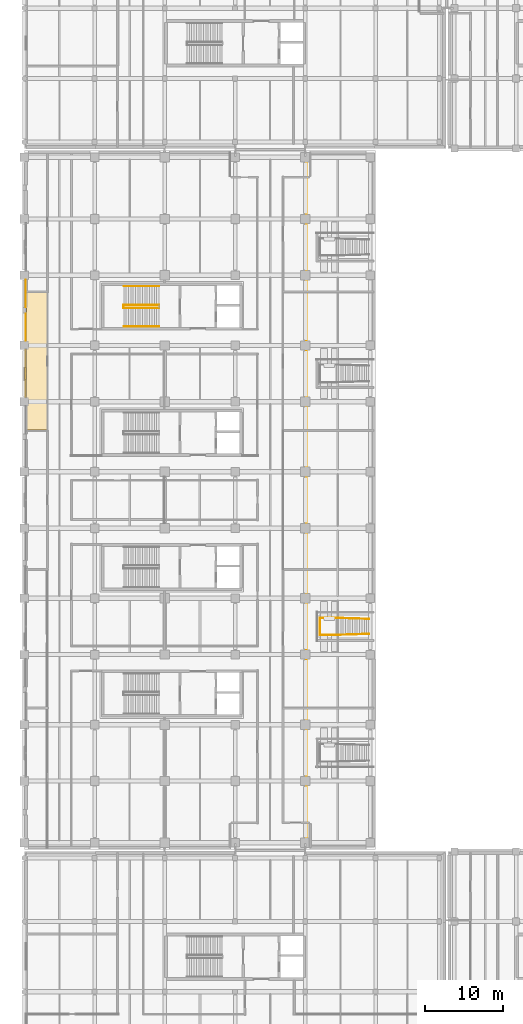
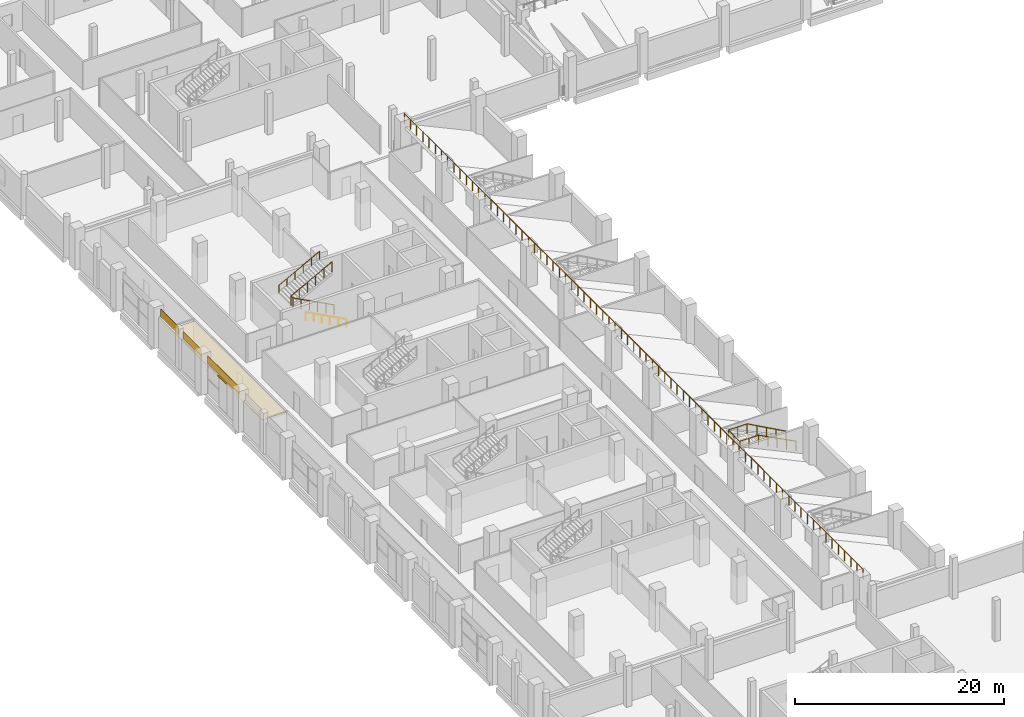
# One storey, part 82 of 100: 5 railings, 4 coverings, 1 shading device.
"""IFC4 building model written with IfcOpenShell, lengths in metres."""

from ifc_helpers import new_model, si_unit, direction, frame, origin, origin_2d, place, context, subcontext, project, spatial, polyline, rectangle, circle, outline, extrude, material, layer, layer_set, type_object, element, save


model = new_model("IFC4")

# Units and contexts
model_context = context("Model", 3, precision=1e-05, world=origin(), true_north=direction((0.0, 1.0)))
body_context = subcontext(model_context, "Body", "Model", "MODEL_VIEW")
ifc_project = project(units=[si_unit("LENGTHUNIT", "METRE"), si_unit("AREAUNIT", "SQUARE_METRE"), si_unit("VOLUMEUNIT", "CUBIC_METRE"), si_unit("PLANEANGLEUNIT", "RADIAN"), si_unit("MASSUNIT", "GRAM", prefix="KILO"), si_unit("THERMODYNAMICTEMPERATUREUNIT", "KELVIN"), si_unit("POWERUNIT", "WATT")], contexts=[model_context])

# Site, building, storey
site_placement = place(None, origin())
site = spatial("IfcSite", under=ifc_project, at=site_placement, CompositionType="ELEMENT")
building_placement = place(site_placement, origin())
building = spatial("IfcBuilding", under=site, at=building_placement, Name="Sindhuravela Promenade Stadium", CompositionType="ELEMENT")
storey_placement = place(building_placement, frame((0.0, 0.0, 4.800048828125)))
storey = spatial("IfcBuildingStorey", under=building, at=storey_placement, Name="L01", CompositionType="ELEMENT", Elevation=4.800048828125)

# Coverings
ifc_material_1 = material(Name="Acoustic mineral-fibre ceiling tile", Category="gypsum")
ifc_layer_1 = layer(ifc_material_1, 0.02490234375)
ifc_layer_set_1 = layer_set([ifc_layer_1], Name="Acoustic mineral-fibre ceiling tile")
covering_type_1 = type_object("IfcCoveringType", Name="CV-CEIL-1", PredefinedType="CEILING", material=ifc_layer_set_1)
covering_1_placement = place(storey_placement, frame((0.0, 0.0, 3.050048828125)))
element("IfcCovering", 1, at=covering_1_placement, inside=storey, type_object=covering_type_1, Name="Acoustic ceiling Supporters Refreshment Kiosk W2 11", PredefinedType="CEILING", context=body_context, shape_type="SweptSolid", body=[
    extrude(outline(polyline([(0.300048828125, 107.5380859375), (0.300048828125, 107.5400390625), (0.30029296875, 107.5419921875), (0.30078125, 107.543701171875), (0.301513671875, 107.545654296875), (0.302490234375, 107.54736328125), (0.303466796875, 107.549072265625), (0.304443359375, 107.55078125), (0.305908203125, 107.552001953125), (0.307373046875, 107.553466796875), (0.308837890625, 107.5546875), (0.310546875, 107.5556640625), (0.312255859375, 107.556396484375), (0.314208984375, 107.55712890625), (0.316162109375, 107.5576171875), (0.318115234375, 107.557861328125), (0.320068359375, 107.55810546875), (2.9599609375, 107.55810546875), (2.9619140625, 107.557861328125), (2.9638671875, 107.5576171875), (2.9658203125, 107.55712890625), (2.9677734375, 107.556396484375), (2.969482421875, 107.5556640625), (2.97119140625, 107.5546875), (2.97265625, 107.553466796875), (2.97412109375, 107.552001953125), (2.9755859375, 107.55078125), (2.9765625, 107.549072265625), (2.9775390625, 107.54736328125), (2.978515625, 107.545654296875), (2.97900390625, 107.543701171875), (2.9794921875, 107.5419921875), (2.97998046875, 107.5400390625), (2.97998046875, 107.5380859375), (2.97998046875, 90.006103515625), (2.97998046875, 90.00390625), (2.9794921875, 90.002197265625), (2.97900390625, 90.000244140625), (2.978515625, 89.998291015625), (2.9775390625, 89.99658203125), (2.9765625, 89.994873046875), (2.9755859375, 89.993408203125), (2.97412109375, 89.991943359375), (2.97265625, 89.990478515625), (2.97119140625, 89.989501953125), (2.969482421875, 89.98828125), (2.9677734375, 89.987548828125), (2.9658203125, 89.98681640625), (2.9638671875, 89.986328125), (2.9619140625, 89.986083984375), (2.9599609375, 89.986083984375), (0.320068359375, 89.986083984375), (0.318115234375, 89.986083984375), (0.316162109375, 89.986328125), (0.314208984375, 89.98681640625), (0.312255859375, 89.987548828125), (0.310546875, 89.98828125), (0.308837890625, 89.989501953125), (0.307373046875, 89.990478515625), (0.305908203125, 89.991943359375), (0.304443359375, 89.993408203125), (0.303466796875, 89.994873046875), (0.302490234375, 89.99658203125), (0.301513671875, 89.998291015625), (0.30078125, 90.000244140625), (0.30029296875, 90.002197265625), (0.300048828125, 90.00390625), (0.300048828125, 90.006103515625), (0.300048828125, 107.5380859375)])), origin(), (0.0, 0.0, 1.0), 0.02490234375),
])
ifc_material_2 = material(Name="Polychrome trencadis ceramic mosaic", Category="masonry")
ifc_layer_2 = layer(ifc_material_2, 0.034912109375)
ifc_layer_set_2 = layer_set([ifc_layer_2], Name="Polychrome trencadis ceramic mosaic")
covering_type_2 = type_object("IfcCoveringType", Name="CV-TRENC-1", PredefinedType="CLADDING", material=ifc_layer_set_2)
covering_2_placement = place(storey_placement, frame((0.179931640625, 103.14990234375, 3.55517578125), z_axis=(0.0, 0.0, 1.0), x_axis=(0.0, 1.0, 0.0)))
element("IfcCovering", 2, at=covering_2_placement, inside=storey, type_object=covering_type_2, Name="Trencadis ceramic mosaic spandrel frieze WEST L01-24", PredefinedType="CLADDING", context=body_context, shape_type="SweptSolid", body=[
    extrude(rectangle(XDim=3.469970703125, YDim=0.034912109375, at=origin_2d()), origin(), (0.0, 0.0, 1.0), 0.905029296875),
])
ifc_layer_3 = layer(ifc_material_2, 0.050048828125)
ifc_layer_set_3 = layer_set([ifc_layer_3], Name="Polychrome trencadis ceramic mosaic")
covering_type_3 = type_object("IfcCoveringType", Name="CV-TRENC-2", PredefinedType="CLADDING", material=ifc_layer_set_3)
covering_3_placement = place(storey_placement, frame((0.179931640625, 97.199951171875, 3.55517578125), z_axis=(0.0, 0.0, 1.0), x_axis=(0.0, 1.0, 0.0)))
element("IfcCovering", 3, at=covering_3_placement, inside=storey, type_object=covering_type_3, Name="Trencadis ceramic mosaic spandrel frieze WEST L01-23", PredefinedType="CLADDING", context=body_context, shape_type="SweptSolid", body=[
    extrude(rectangle(XDim=5.969970703125, YDim=0.050048828125, at=origin_2d()), origin(), (0.0, 0.0, 1.0), 0.905029296875),
])
covering_4_placement = place(storey_placement, frame((0.179931640625, 107.449951171875, 3.55517578125), z_axis=(0.0, 0.0, 1.0), x_axis=(0.0, 1.0, 0.0)))
element("IfcCovering", 4, at=covering_4_placement, inside=storey, type_object=covering_type_3, Name="Trencadis ceramic mosaic spandrel frieze WEST L01-25", PredefinedType="CLADDING", context=body_context, shape_type="SweptSolid", body=[
    extrude(rectangle(XDim=3.469970703125, YDim=0.050048828125, at=origin_2d()), origin(), (0.0, 0.0, 1.0), 0.905029296875),
])

# Railings
ifc_material_3 = material(Name="Architectural wrought steel E350", Category="steel")
railing_type_1 = type_object("IfcRailingType", Name="RL-GRD-1150", PredefinedType="GUARDRAIL", material=ifc_material_3)
railing_1_placement = place(storey_placement, frame((36.14990234375, 37.10009765625, 4.050048828125)))
element("IfcRailing", 5, at=railing_1_placement, inside=storey, type_object=railing_type_1, Name="Stand bowl crowd barrier GR01-90", PredefinedType="GUARDRAIL", context=body_context, shape_type="SweptSolid", body=[
    extrude(circle(Radius=0.02392578125, at=origin_2d()), frame((0.0, 0.0, 1.1259765625), z_axis=(0.0, 1.0, 0.0), x_axis=(-1.0, 0.0, 0.0)), (0.0, 0.0, 1.0), 87.7998046875),
    extrude(circle(Radius=0.02099609375, at=origin_2d()), origin(), (0.0, 0.0, 1.0), 1.101806640625),
    extrude(circle(Radius=0.02099609375, at=origin_2d()), frame((0.0, 1.1865234375, 0.0)), (0.0, 0.0, 1.0), 1.101806640625),
    extrude(circle(Radius=0.02099609375, at=origin_2d()), frame((0.0, 2.373046875, 0.0)), (0.0, 0.0, 1.0), 1.101806640625),
    extrude(circle(Radius=0.02099609375, at=origin_2d()), frame((0.0, 3.5595703125, 0.0)), (0.0, 0.0, 1.0), 1.101806640625),
    extrude(circle(Radius=0.02099609375, at=origin_2d()), frame((0.0, 4.745849609375, 0.0)), (0.0, 0.0, 1.0), 1.101806640625),
    extrude(circle(Radius=0.02099609375, at=origin_2d()), frame((0.0, 5.932373046875, 0.0)), (0.0, 0.0, 1.0), 1.101806640625),
    extrude(circle(Radius=0.02099609375, at=origin_2d()), frame((0.0, 7.118896484375, 0.0)), (0.0, 0.0, 1.0), 1.101806640625),
    extrude(circle(Radius=0.02099609375, at=origin_2d()), frame((0.0, 8.305419921875, 0.0)), (0.0, 0.0, 1.0), 1.101806640625),
    extrude(circle(Radius=0.02099609375, at=origin_2d()), frame((0.0, 9.491943359375, 0.0)), (0.0, 0.0, 1.0), 1.101806640625),
    extrude(circle(Radius=0.02099609375, at=origin_2d()), frame((0.0, 10.678466796875, 0.0)), (0.0, 0.0, 1.0), 1.101806640625),
    extrude(circle(Radius=0.02099609375, at=origin_2d()), frame((0.0, 11.86474609375, 0.0)), (0.0, 0.0, 1.0), 1.101806640625),
    extrude(circle(Radius=0.02099609375, at=origin_2d()), frame((0.0, 13.05126953125, 0.0)), (0.0, 0.0, 1.0), 1.101806640625),
    extrude(circle(Radius=0.02099609375, at=origin_2d()), frame((0.0, 14.23779296875, 0.0)), (0.0, 0.0, 1.0), 1.101806640625),
    extrude(circle(Radius=0.02099609375, at=origin_2d()), frame((0.0, 15.42431640625, 0.0)), (0.0, 0.0, 1.0), 1.101806640625),
    extrude(circle(Radius=0.02099609375, at=origin_2d()), frame((0.0, 16.61083984375, 0.0)), (0.0, 0.0, 1.0), 1.101806640625),
    extrude(circle(Radius=0.02099609375, at=origin_2d()), frame((0.0, 17.79736328125, 0.0)), (0.0, 0.0, 1.0), 1.101806640625),
    extrude(circle(Radius=0.02099609375, at=origin_2d()), frame((0.0, 18.983642578125, 0.0)), (0.0, 0.0, 1.0), 1.101806640625),
    extrude(circle(Radius=0.02099609375, at=origin_2d()), frame((0.0, 20.170166015625, 0.0)), (0.0, 0.0, 1.0), 1.101806640625),
    extrude(circle(Radius=0.02099609375, at=origin_2d()), frame((0.0, 21.356689453125, 0.0)), (0.0, 0.0, 1.0), 1.101806640625),
    extrude(circle(Radius=0.02099609375, at=origin_2d()), frame((0.0, 22.543212890625, 0.0)), (0.0, 0.0, 1.0), 1.101806640625),
    extrude(circle(Radius=0.02099609375, at=origin_2d()), frame((0.0, 23.729736328125, 0.0)), (0.0, 0.0, 1.0), 1.101806640625),
    extrude(circle(Radius=0.02099609375, at=origin_2d()), frame((0.0, 24.916259765625, 0.0)), (0.0, 0.0, 1.0), 1.101806640625),
    extrude(circle(Radius=0.02099609375, at=origin_2d()), frame((0.0, 26.1025390625, 0.0)), (0.0, 0.0, 1.0), 1.101806640625),
    extrude(circle(Radius=0.02099609375, at=origin_2d()), frame((0.0, 27.2890625, 0.0)), (0.0, 0.0, 1.0), 1.101806640625),
    extrude(circle(Radius=0.02099609375, at=origin_2d()), frame((0.0, 28.4755859375, 0.0)), (0.0, 0.0, 1.0), 1.101806640625),
    extrude(circle(Radius=0.02099609375, at=origin_2d()), frame((0.0, 29.662109375, 0.0)), (0.0, 0.0, 1.0), 1.101806640625),
    extrude(circle(Radius=0.02099609375, at=origin_2d()), frame((0.0, 30.8486328125, 0.0)), (0.0, 0.0, 1.0), 1.101806640625),
    extrude(circle(Radius=0.02099609375, at=origin_2d()), frame((0.0, 32.03515625, 0.0)), (0.0, 0.0, 1.0), 1.101806640625),
    extrude(circle(Radius=0.02099609375, at=origin_2d()), frame((0.0, 33.221435546875, 0.0)), (0.0, 0.0, 1.0), 1.101806640625),
    extrude(circle(Radius=0.02099609375, at=origin_2d()), frame((0.0, 34.407958984375, 0.0)), (0.0, 0.0, 1.0), 1.101806640625),
    extrude(circle(Radius=0.02099609375, at=origin_2d()), frame((0.0, 35.594482421875, 0.0)), (0.0, 0.0, 1.0), 1.101806640625),
    extrude(circle(Radius=0.02099609375, at=origin_2d()), frame((0.0, 36.781005859375, 0.0)), (0.0, 0.0, 1.0), 1.101806640625),
    extrude(circle(Radius=0.02099609375, at=origin_2d()), frame((0.0, 37.967529296875, 0.0)), (0.0, 0.0, 1.0), 1.101806640625),
    extrude(circle(Radius=0.02099609375, at=origin_2d()), frame((0.0, 39.154052734375, 0.0)), (0.0, 0.0, 1.0), 1.101806640625),
    extrude(circle(Radius=0.02099609375, at=origin_2d()), frame((0.0, 40.34033203125, 0.0)), (0.0, 0.0, 1.0), 1.101806640625),
    extrude(circle(Radius=0.02099609375, at=origin_2d()), frame((0.0, 41.52685546875, 0.0)), (0.0, 0.0, 1.0), 1.101806640625),
    extrude(circle(Radius=0.02099609375, at=origin_2d()), frame((0.0, 42.71337890625, 0.0)), (0.0, 0.0, 1.0), 1.101806640625),
    extrude(circle(Radius=0.02099609375, at=origin_2d()), frame((0.0, 43.89990234375, 0.0)), (0.0, 0.0, 1.0), 1.101806640625),
    extrude(circle(Radius=0.02099609375, at=origin_2d()), frame((0.0, 45.08642578125, 0.0)), (0.0, 0.0, 1.0), 1.101806640625),
    extrude(circle(Radius=0.02099609375, at=origin_2d()), frame((0.0, 46.27294921875, 0.0)), (0.0, 0.0, 1.0), 1.101806640625),
    extrude(circle(Radius=0.02099609375, at=origin_2d()), frame((0.0, 47.45947265625, 0.0)), (0.0, 0.0, 1.0), 1.101806640625),
    extrude(circle(Radius=0.02099609375, at=origin_2d()), frame((0.0, 48.645751953125, 0.0)), (0.0, 0.0, 1.0), 1.101806640625),
    extrude(circle(Radius=0.02099609375, at=origin_2d()), frame((0.0, 49.832275390625, 0.0)), (0.0, 0.0, 1.0), 1.101806640625),
    extrude(circle(Radius=0.02099609375, at=origin_2d()), frame((0.0, 51.018798828125, 0.0)), (0.0, 0.0, 1.0), 1.101806640625),
    extrude(circle(Radius=0.02099609375, at=origin_2d()), frame((0.0, 52.205322265625, 0.0)), (0.0, 0.0, 1.0), 1.101806640625),
    extrude(circle(Radius=0.02099609375, at=origin_2d()), frame((0.0, 53.391845703125, 0.0)), (0.0, 0.0, 1.0), 1.101806640625),
    extrude(circle(Radius=0.02099609375, at=origin_2d()), frame((0.0, 54.578369140625, 0.0)), (0.0, 0.0, 1.0), 1.101806640625),
    extrude(circle(Radius=0.02099609375, at=origin_2d()), frame((0.0, 55.7646484375, 0.0)), (0.0, 0.0, 1.0), 1.101806640625),
    extrude(circle(Radius=0.02099609375, at=origin_2d()), frame((0.0, 56.951171875, 0.0)), (0.0, 0.0, 1.0), 1.101806640625),
    extrude(circle(Radius=0.02099609375, at=origin_2d()), frame((0.0, 58.1376953125, 0.0)), (0.0, 0.0, 1.0), 1.101806640625),
    extrude(circle(Radius=0.02099609375, at=origin_2d()), frame((0.0, 59.32421875, 0.0)), (0.0, 0.0, 1.0), 1.101806640625),
    extrude(circle(Radius=0.02099609375, at=origin_2d()), frame((0.0, 60.5107421875, 0.0)), (0.0, 0.0, 1.0), 1.101806640625),
    extrude(circle(Radius=0.02099609375, at=origin_2d()), frame((0.0, 61.697265625, 0.0)), (0.0, 0.0, 1.0), 1.101806640625),
    extrude(circle(Radius=0.02099609375, at=origin_2d()), frame((0.0, 62.883544921875, 0.0)), (0.0, 0.0, 1.0), 1.101806640625),
    extrude(circle(Radius=0.02099609375, at=origin_2d()), frame((0.0, 64.070068359375, 0.0)), (0.0, 0.0, 1.0), 1.101806640625),
    extrude(circle(Radius=0.02099609375, at=origin_2d()), frame((0.0, 65.256591796875, 0.0)), (0.0, 0.0, 1.0), 1.101806640625),
    extrude(circle(Radius=0.02099609375, at=origin_2d()), frame((0.0, 66.443115234375, 0.0)), (0.0, 0.0, 1.0), 1.101806640625),
    extrude(circle(Radius=0.02099609375, at=origin_2d()), frame((0.0, 67.629638671875, 0.0)), (0.0, 0.0, 1.0), 1.101806640625),
    extrude(circle(Radius=0.02099609375, at=origin_2d()), frame((0.0, 68.816162109375, 0.0)), (0.0, 0.0, 1.0), 1.101806640625),
    extrude(circle(Radius=0.02099609375, at=origin_2d()), frame((0.0, 70.00244140625, 0.0)), (0.0, 0.0, 1.0), 1.101806640625),
    extrude(circle(Radius=0.02099609375, at=origin_2d()), frame((0.0, 71.18896484375, 0.0)), (0.0, 0.0, 1.0), 1.101806640625),
    extrude(circle(Radius=0.02099609375, at=origin_2d()), frame((0.0, 72.37548828125, 0.0)), (0.0, 0.0, 1.0), 1.101806640625),
    extrude(circle(Radius=0.02099609375, at=origin_2d()), frame((0.0, 73.56201171875, 0.0)), (0.0, 0.0, 1.0), 1.101806640625),
    extrude(circle(Radius=0.02099609375, at=origin_2d()), frame((0.0, 74.74853515625, 0.0)), (0.0, 0.0, 1.0), 1.101806640625),
    extrude(circle(Radius=0.02099609375, at=origin_2d()), frame((0.0, 75.93505859375, 0.0)), (0.0, 0.0, 1.0), 1.101806640625),
    extrude(circle(Radius=0.02099609375, at=origin_2d()), frame((0.0, 77.121337890625, 0.0)), (0.0, 0.0, 1.0), 1.101806640625),
    extrude(circle(Radius=0.02099609375, at=origin_2d()), frame((0.0, 78.307861328125, 0.0)), (0.0, 0.0, 1.0), 1.101806640625),
    extrude(circle(Radius=0.02099609375, at=origin_2d()), frame((0.0, 79.494384765625, 0.0)), (0.0, 0.0, 1.0), 1.101806640625),
    extrude(circle(Radius=0.02099609375, at=origin_2d()), frame((0.0, 80.680908203125, 0.0)), (0.0, 0.0, 1.0), 1.101806640625),
    extrude(circle(Radius=0.02099609375, at=origin_2d()), frame((0.0, 81.867431640625, 0.0)), (0.0, 0.0, 1.0), 1.101806640625),
    extrude(circle(Radius=0.02099609375, at=origin_2d()), frame((0.0, 83.053955078125, 0.0)), (0.0, 0.0, 1.0), 1.101806640625),
    extrude(circle(Radius=0.02099609375, at=origin_2d()), frame((0.0, 84.240234375, 0.0)), (0.0, 0.0, 1.0), 1.101806640625),
    extrude(circle(Radius=0.02099609375, at=origin_2d()), frame((0.0, 85.4267578125, 0.0)), (0.0, 0.0, 1.0), 1.101806640625),
    extrude(circle(Radius=0.02099609375, at=origin_2d()), frame((0.0, 86.61328125, 0.0)), (0.0, 0.0, 1.0), 1.101806640625),
    extrude(circle(Radius=0.02099609375, at=origin_2d()), frame((0.0, 87.7998046875, 0.0)), (0.0, 0.0, 1.0), 1.101806640625),
])
railing_2_placement = place(storey_placement, frame((17.25, 105.610107421875, 0.0)))
element("IfcRailing", 6, at=railing_2_placement, inside=storey, type_object=railing_type_1, Name="Stair ST04 inner well guard (L01)", PredefinedType="GUARDRAIL", context=body_context, shape_type="SweptSolid", body=[
    extrude(circle(Radius=0.02392578125, at=origin_2d()), frame((0.0, 0.0, 1.1259765625), z_axis=(-0.8836546633431795, 0.0, 0.46813933390802775), x_axis=(0.0, -1.0, 0.0)), (0.0, 0.0, 1.0), 5.12646484375),
    extrude(circle(Radius=0.02392578125, at=origin_2d()), frame((-4.530029296875, 0.0, 3.52587890625), z_axis=(0.0, 1.0, 0.0), x_axis=(-1.0, 0.0, 0.0)), (0.0, 0.0, 1.0), 0.3798828125),
    extrude(circle(Radius=0.02392578125, at=origin_2d()), frame((-4.530029296875, 0.3798828125, 3.52587890625), z_axis=(0.8836349624059475, 0.0, 0.46817651928929505), x_axis=(0.0, 1.0, 0.0)), (0.0, 0.0, 1.0), 5.12646484375),
    extrude(circle(Radius=0.02099609375, at=origin_2d()), origin(), (0.0, 0.0, 1.0), 1.101806640625),
    extrude(circle(Radius=0.02099609375, at=origin_2d()), frame((-0.906005859375, 0.0, 0.47998046875)), (0.0, 0.0, 1.0), 1.101806640625),
    extrude(circle(Radius=0.02099609375, at=origin_2d()), frame((-1.81201171875, 0.0, 0.9599609375)), (0.0, 0.0, 1.0), 1.101806640625),
    extrude(circle(Radius=0.02099609375, at=origin_2d()), frame((-2.718017578125, 0.0, 1.43994140625)), (0.0, 0.0, 1.0), 1.101806640625),
    extrude(circle(Radius=0.02099609375, at=origin_2d()), frame((-3.6240234375, 0.0, 1.919921875)), (0.0, 0.0, 1.0), 1.101806640625),
    extrude(circle(Radius=0.02099609375, at=origin_2d()), frame((-4.530029296875, 0.0, 2.39990234375)), (0.0, 0.0, 1.0), 1.101806640625),
    extrude(circle(Radius=0.02099609375, at=origin_2d()), frame((-4.530029296875, 0.3798828125, 2.39990234375)), (0.0, 0.0, 1.0), 1.101806640625),
    extrude(circle(Radius=0.02099609375, at=origin_2d()), frame((-3.6240234375, 0.3798828125, 2.8798828125)), (0.0, 0.0, 1.0), 1.101806640625),
    extrude(circle(Radius=0.02099609375, at=origin_2d()), frame((-2.718017578125, 0.3798828125, 3.35986328125)), (0.0, 0.0, 1.0), 1.101806640625),
    extrude(circle(Radius=0.02099609375, at=origin_2d()), frame((-1.81201171875, 0.3798828125, 3.840087890625)), (0.0, 0.0, 1.0), 1.101806640625),
    extrude(circle(Radius=0.02099609375, at=origin_2d()), frame((-0.906005859375, 0.3798828125, 4.320068359375)), (0.0, 0.0, 1.0), 1.101806640625),
    extrude(circle(Radius=0.02099609375, at=origin_2d()), frame((0.0, 0.3798828125, 4.800048828125)), (0.0, 0.0, 1.0), 1.101806640625),
])
railing_3_placement = place(storey_placement, frame((44.14990234375, 65.760009765625, 0.0)))
element("IfcRailing", 7, at=railing_3_placement, inside=storey, type_object=railing_type_1, Name="Vomitory VS02 flight & platform guard", PredefinedType="GUARDRAIL", context=body_context, shape_type="SweptSolid", body=[
    extrude(circle(Radius=0.02392578125, at=origin_2d()), frame((0.0, 0.0, 1.1259765625), z_axis=(-0.8811503615104481, 0.02724943279216174, 0.47205032445970413), x_axis=(-0.030910061871442473, -0.9995221698767385, 0.0)), (0.0, 0.0, 1.0), 4.766357421875),
    extrude(circle(Radius=0.02392578125, at=origin_2d()), frame((-4.199951171875, 0.1298828125, 3.3759765625), z_axis=(-1.0, 0.0, 0.0), x_axis=(0.0, -1.0, 0.0)), (0.0, 0.0, 1.0), 2.070068359375),
    extrude(circle(Radius=0.02392578125, at=origin_2d()), frame((-6.27001953125, 0.1298828125, 3.3759765625), z_axis=(0.0, -1.0, 0.0), x_axis=(1.0, 0.0, 0.0)), (0.0, 0.0, 1.0), 2.179931640625),
    extrude(circle(Radius=0.02392578125, at=origin_2d()), frame((-6.27001953125, -2.050048828125, 3.3759765625), z_axis=(1.0, 0.0, 0.0), x_axis=(0.0, 1.0, 0.0)), (0.0, 0.0, 1.0), 2.070068359375),
    extrude(circle(Radius=0.02392578125, at=origin_2d()), frame((-4.199951171875, -2.050048828125, 3.3759765625), z_axis=(0.8811491305038108, 0.027300615390253514, -0.4720496649841958), x_axis=(-0.03096810782289172, 0.9995203731279667, 0.0)), (0.0, 0.0, 1.0), 4.766357421875),
    extrude(circle(Radius=0.02099609375, at=origin_2d()), origin(), (0.0, 0.0, 1.0), 1.101806640625),
    extrude(circle(Radius=0.02099609375, at=origin_2d()), frame((-1.050048828125, 0.032470703125, 0.5625)), (0.0, 0.0, 1.0), 1.101806640625),
    extrude(circle(Radius=0.02099609375, at=origin_2d()), frame((-2.10009765625, 0.06494140625, 1.125)), (0.0, 0.0, 1.0), 1.101806640625),
    extrude(circle(Radius=0.02099609375, at=origin_2d()), frame((-3.14990234375, 0.097412109375, 1.6875)), (0.0, 0.0, 1.0), 1.101806640625),
    extrude(circle(Radius=0.02099609375, at=origin_2d()), frame((-4.199951171875, 0.1298828125, 2.25)), (0.0, 0.0, 1.0), 1.101806640625),
    extrude(circle(Radius=0.02099609375, at=origin_2d()), frame((-5.23486328125, 0.1298828125, 2.25)), (0.0, 0.0, 1.0), 1.101806640625),
    extrude(circle(Radius=0.02099609375, at=origin_2d()), frame((-6.27001953125, 0.1298828125, 2.25)), (0.0, 0.0, 1.0), 1.101806640625),
    extrude(circle(Radius=0.02099609375, at=origin_2d()), frame((-6.27001953125, -0.9599609375, 2.25)), (0.0, 0.0, 1.0), 1.101806640625),
    extrude(circle(Radius=0.02099609375, at=origin_2d()), frame((-6.27001953125, -2.050048828125, 2.25)), (0.0, 0.0, 1.0), 1.101806640625),
    extrude(circle(Radius=0.02099609375, at=origin_2d()), frame((-5.23486328125, -2.050048828125, 2.25)), (0.0, 0.0, 1.0), 1.101806640625),
    extrude(circle(Radius=0.02099609375, at=origin_2d()), frame((-4.199951171875, -2.050048828125, 2.25)), (0.0, 0.0, 1.0), 1.101806640625),
    extrude(circle(Radius=0.02099609375, at=origin_2d()), frame((-3.14990234375, -2.017578125, 1.6875)), (0.0, 0.0, 1.0), 1.101806640625),
    extrude(circle(Radius=0.02099609375, at=origin_2d()), frame((-2.10009765625, -1.98486328125, 1.125)), (0.0, 0.0, 1.0), 1.101806640625),
    extrude(circle(Radius=0.02099609375, at=origin_2d()), frame((-1.050048828125, -1.952392578125, 0.5625)), (0.0, 0.0, 1.0), 1.101806640625),
    extrude(circle(Radius=0.02099609375, at=origin_2d()), frame((0.0, -1.919921875, 0.0)), (0.0, 0.0, 1.0), 1.101806640625),
])
railing_type_2 = type_object("IfcRailingType", Name="RL-HND-920", PredefinedType="HANDRAIL", material=ifc_material_3)
railing_4_placement = place(storey_placement, frame((17.25, 103.219970703125, 0.0)))
element("IfcRailing", 8, at=railing_4_placement, inside=storey, type_object=railing_type_2, Name="Stair ST04 lower wall handrail (L01)", PredefinedType="HANDRAIL", context=body_context, shape_type="SweptSolid", body=[
    extrude(circle(Radius=0.02392578125, at=origin_2d()), frame((0.0, 0.0, 0.89599609375), z_axis=(-0.8823608919668723, 0.0, 0.4705733272588083), x_axis=(0.0, -1.0, 0.0)), (0.0, 0.0, 1.0), 5.099853515625),
    extrude(circle(Radius=0.02099609375, at=origin_2d()), origin(), (0.0, 0.0, 1.0), 0.871826171875),
    extrude(circle(Radius=0.02099609375, at=origin_2d()), frame((-0.89990234375, 0.0, 0.47998046875)), (0.0, 0.0, 1.0), 0.871826171875),
    extrude(circle(Radius=0.02099609375, at=origin_2d()), frame((-1.800048828125, 0.0, 0.9599609375)), (0.0, 0.0, 1.0), 0.871826171875),
    extrude(circle(Radius=0.02099609375, at=origin_2d()), frame((-2.699951171875, 0.0, 1.43994140625)), (0.0, 0.0, 1.0), 0.871826171875),
    extrude(circle(Radius=0.02099609375, at=origin_2d()), frame((-3.60009765625, 0.0, 1.919921875)), (0.0, 0.0, 1.0), 0.871826171875),
    extrude(circle(Radius=0.02099609375, at=origin_2d()), frame((-4.5, 0.0, 2.39990234375)), (0.0, 0.0, 1.0), 0.871826171875),
])
railing_5_placement = place(storey_placement, frame((12.75, 108.3798828125, 2.39990234375)))
element("IfcRailing", 9, at=railing_5_placement, inside=storey, type_object=railing_type_2, Name="Stair ST04 upper wall handrail (L01)", PredefinedType="HANDRAIL", context=body_context, shape_type="SweptSolid", body=[
    extrude(circle(Radius=0.02392578125, at=origin_2d()), frame((0.0, 0.0, 0.89599609375), z_axis=(0.8823410147872734, 0.0, 0.47061059659145427), x_axis=(0.0, 1.0, 0.0)), (0.0, 0.0, 1.0), 5.10009765625),
    extrude(circle(Radius=0.02099609375, at=origin_2d()), origin(), (0.0, 0.0, 1.0), 0.871826171875),
    extrude(circle(Radius=0.02099609375, at=origin_2d()), frame((0.89990234375, 0.0, 0.47998046875)), (0.0, 0.0, 1.0), 0.871826171875),
    extrude(circle(Radius=0.02099609375, at=origin_2d()), frame((1.800048828125, 0.0, 0.9599609375)), (0.0, 0.0, 1.0), 0.871826171875),
    extrude(circle(Radius=0.02099609375, at=origin_2d()), frame((2.699951171875, 0.0, 1.440185546875)), (0.0, 0.0, 1.0), 0.871826171875),
    extrude(circle(Radius=0.02099609375, at=origin_2d()), frame((3.60009765625, 0.0, 1.920166015625)), (0.0, 0.0, 1.0), 0.871826171875),
    extrude(circle(Radius=0.02099609375, at=origin_2d()), frame((4.5, 0.0, 2.400146484375)), (0.0, 0.0, 1.0), 0.871826171875),
])

# Shading device
ifc_material_4 = material(Name="Perforated terracotta celosia brick (15 MPa)", Category="masonry")
shading_device_type = type_object("IfcShadingDeviceType", Name="SH-JAL-1", PredefinedType="JALOUSIE", material=ifc_material_4)
shading_device_placement = place(storey_placement, frame((0.139892578125, 97.199951171875, 3.4599609375), z_axis=(0.0, 0.0, 1.0), x_axis=(0.0, 1.0, 0.0)))
element("IfcShadingDevice", 10, at=shading_device_placement, inside=storey, type_object=shading_device_type, Name="Terracotta solar shading louvre WEST L01-4", PredefinedType="JALOUSIE", context=body_context, shape_type="SweptSolid", body=[
    extrude(rectangle(XDim=1.580078125, YDim=0.280029296875, at=origin_2d()), origin(), (0.0, 0.0, 1.0), 0.1201171875),
])

save(model, "model.ifc")
